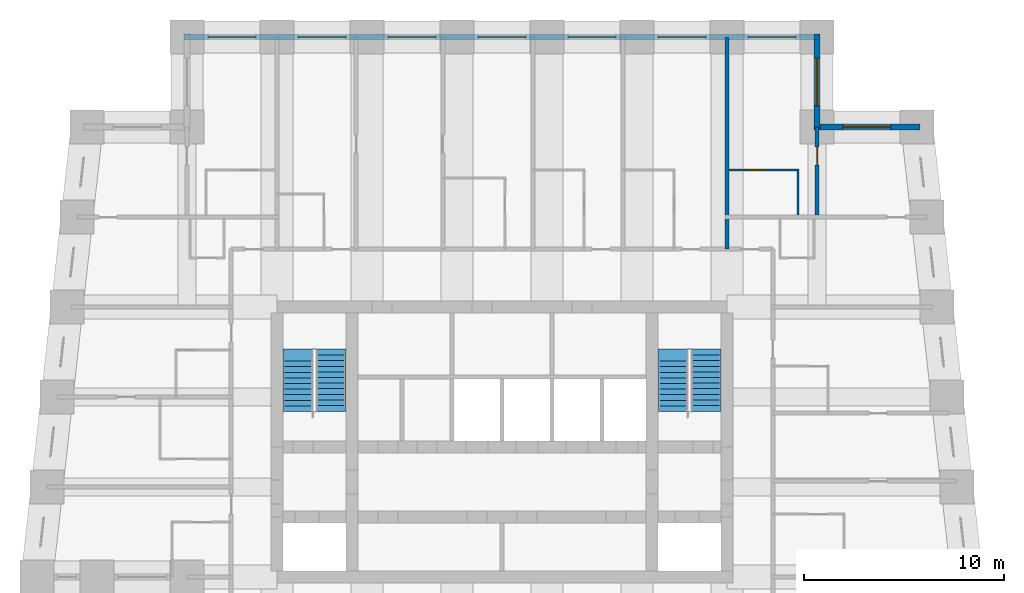
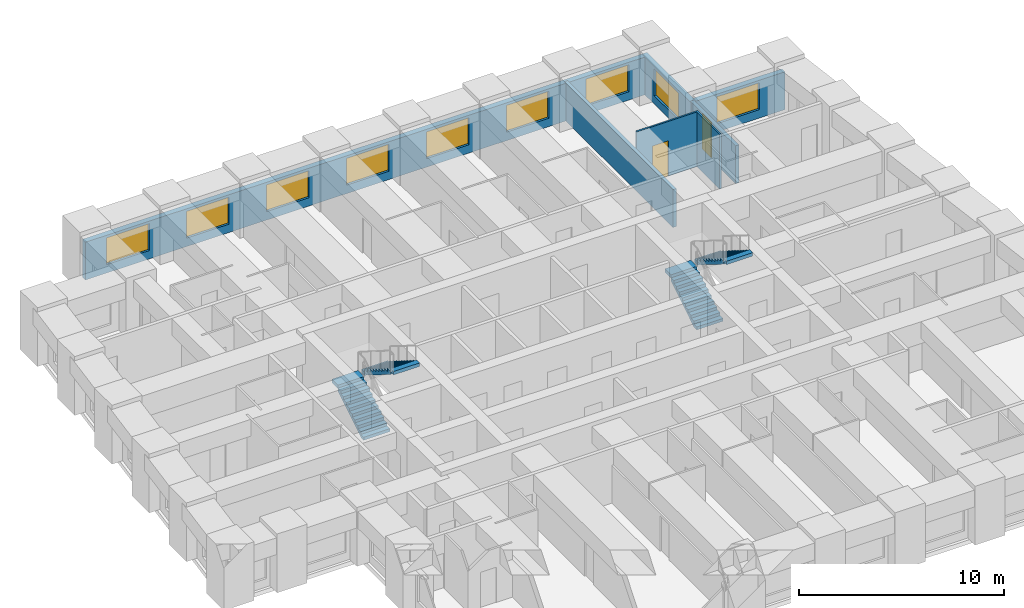
# One storey, part 7 of 8: 9 windows, 7 walls, 4 stair flights, 2 doors, 11 openings, 2 elements without a shape of their own.
"""IFC4 building model written with IfcOpenShell, lengths in metres."""

from ifc_helpers import new_model, si_unit, direction, frame, frame_2d, origin, place, context, subcontext, project, spatial, polyline, rectangle, outline, extrude, material, layer, layer_set, type_object, element, fill, aggregate, save


model = new_model("IFC4")

# Units and contexts
model_context = context("Model", 3, precision=1e-05, world=origin(), true_north=direction((0.0, 1.0)))
body_context = subcontext(model_context, "Body", "Model", "MODEL_VIEW")
ifc_project = project(units=[si_unit("LENGTHUNIT", "METRE"), si_unit("AREAUNIT", "SQUARE_METRE"), si_unit("VOLUMEUNIT", "CUBIC_METRE"), si_unit("PLANEANGLEUNIT", "RADIAN"), si_unit("MASSUNIT", "GRAM", prefix="KILO")], contexts=[model_context])

# Site, building, storey
site_placement = place(None, origin())
site = spatial("IfcSite", under=ifc_project, at=site_placement, CompositionType="ELEMENT")
building_placement = place(site_placement, origin())
building = spatial("IfcBuilding", under=site, at=building_placement, Name="Kilele Tower Hotel", CompositionType="ELEMENT")
storey_placement = place(building_placement, frame((0.0, 0.0, 176.39990234375)))
storey = spatial("IfcBuildingStorey", under=building, at=storey_placement, Name="L45", CompositionType="ELEMENT", Elevation=176.39990234375)

# Wall
ifc_material_1 = material(Name="Moisture-resistant board")
ifc_layer_1 = layer(ifc_material_1, 0.10009765625)
ifc_layer_set_1 = layer_set([ifc_layer_1], Name="Moisture-resistant board")
wall_type_1 = type_object("IfcWallType", Name="Bathroom partition 100", PredefinedType="PLUMBINGWALL", material=ifc_layer_set_1)
wall_1_placement = place(storey_placement, frame((39.550048828125, 31.60009765625, 0.0), z_axis=(0.0, 0.0, 1.0), x_axis=(0.0, 1.0, 0.0)))
element("IfcWall", 1, at=wall_1_placement, inside=storey, type_object=wall_type_1, Name="Bathroom partition 100 L45", PredefinedType="PLUMBINGWALL", context=body_context, shape_type="SweptSolid", body=[
    extrude(rectangle(XDim=2.2998046875, YDim=0.10009765625, at=frame_2d((1.14990234375, 0.0))), origin(), (0.0, 0.0, 1.0), 3.25),
])

# Wall, opening, door
wall_2_placement = place(storey_placement, frame((36.10009765625, 33.85009765625, 0.0), z_axis=(0.0, 0.0, 1.0), x_axis=(1.0, 0.0, 0.0)))
wall_2 = element("IfcWall", 2, at=wall_2_placement, inside=storey, type_object=wall_type_1, Name="Bathroom partition 100 L45", PredefinedType="PLUMBINGWALL", context=body_context, shape_type="SweptSolid", body=[
    extrude(rectangle(XDim=3.5, YDim=0.10009765625, at=frame_2d((1.75, 0.0))), origin(), (0.0, 0.0, 1.0), 3.25),
])
opening_1_placement = place(wall_2_placement, frame((0.89990234375, 0.0, 0.0)))
opening_1 = element("IfcOpeningElement", 3, at=opening_1_placement, cuts=wall_2, Name="Opening D2A", PredefinedType="OPENING", context=body_context, shape_type="SweptSolid", body=[
    extrude(rectangle(XDim=0.89990234375, YDim=2.10009765625, at=frame_2d((0.449951171875, 1.050048828125))), frame((0.0, 0.06005859375, 0.0), z_axis=(0.0, -1.0, 0.0), x_axis=(1.0, 0.0, 0.0)), (0.0, 0.0, 1.0), 0.1201171875),
])
ifc_material_2 = material(Name="Timber door leaf in hardwood frame", Category="wood")
door_type_1 = type_object("IfcDoorType", Name="Bathroom door 900", OperationType="SINGLE_SWING_LEFT", PredefinedType="DOOR", material=ifc_material_2)
door_1_placement = place(opening_1_placement, origin())
door_1 = element("IfcDoor", 4, at=door_1_placement, inside=storey, type_object=door_type_1, Name="Bathroom door 4523B", OperationType="SINGLE_SWING_LEFT", OverallHeight=2.10009765625, OverallWidth=0.89990234375, PredefinedType="DOOR", context=body_context, shape_type="SweptSolid", body=[
    extrude(rectangle(XDim=0.89990234375, YDim=2.10009765625, at=frame_2d((0.449951171875, 1.050048828125))), frame((0.0, 0.02490234375, 0.0), z_axis=(0.0, -1.0, 0.0), x_axis=(1.0, 0.0, 0.0)), (0.0, 0.0, 1.0), 0.050048828125),
])
fill(opening_1, door_1)

ifc_material_3 = material(Name="Blockwork, plastered both sides", Category="masonry")
ifc_layer_2 = layer(ifc_material_3, 0.199951171875)
ifc_layer_set_2 = layer_set([ifc_layer_2], Name="Blockwork, plastered both sides")
wall_type_2 = type_object("IfcWallType", Name="Partition wall 200", PredefinedType="PARTITIONING", material=ifc_layer_set_2)
wall_3_placement = place(storey_placement, frame((40.5, 31.60009765625, 0.0), z_axis=(0.0, 0.0, 1.0), x_axis=(0.0, 1.0, 0.0)))
wall_3 = element("IfcWall", 5, at=wall_3_placement, inside=storey, type_object=wall_type_2, Name="Partition wall 200 L45", PredefinedType="PARTITIONING", context=body_context, shape_type="SweptSolid", body=[
    extrude(rectangle(XDim=4.39990234375, YDim=0.199951171875, at=frame_2d((2.199951171875, 0.0))), origin(), (0.0, 0.0, 1.0), 2.25),
])
opening_2_placement = place(wall_3_placement, frame((2.5, 0.0, 0.0)))
opening_2 = element("IfcOpeningElement", 6, at=opening_2_placement, cuts=wall_3, Name="Opening D3", PredefinedType="OPENING", context=body_context, shape_type="SweptSolid", body=[
    extrude(rectangle(XDim=0.89990234375, YDim=2.10009765625, at=frame_2d((0.449951171875, 1.050048828125))), frame((0.0, 0.10986328125, 0.0), z_axis=(0.0, -1.0, 0.0), x_axis=(1.0, 0.0, 0.0)), (0.0, 0.0, 1.0), 0.219970703125),
])
ifc_material_4 = material(Name="Timber door leaf in hardwood frame", Category="wood")
door_type_2 = type_object("IfcDoorType", Name="Suite internal door 900", OperationType="SINGLE_SWING_LEFT", PredefinedType="DOOR", material=ifc_material_4)
door_2_placement = place(opening_2_placement, origin())
door_2 = element("IfcDoor", 7, at=door_2_placement, inside=storey, type_object=door_type_2, Name="Suite door 4524", OperationType="SINGLE_SWING_LEFT", OverallHeight=2.10009765625, OverallWidth=0.89990234375, PredefinedType="DOOR", context=body_context, shape_type="SweptSolid", body=[
    extrude(rectangle(XDim=0.89990234375, YDim=2.10009765625, at=frame_2d((0.449951171875, 1.050048828125))), frame((0.0, 0.02490234375, 0.0), z_axis=(0.0, -1.0, 0.0), x_axis=(1.0, 0.0, 0.0)), (0.0, 0.0, 1.0), 0.050048828125),
])
fill(opening_2, door_2)

# Wall
ifc_material_5 = material(Name="Blockwork, plastered both sides", Category="masonry")
ifc_layer_3 = layer(ifc_material_5, 0.199951171875)
ifc_layer_set_3 = layer_set([ifc_layer_3], Name="Blockwork, plastered both sides")
wall_type_3 = type_object("IfcWallType", Name="Party wall 200", PredefinedType="PARTITIONING", material=ifc_layer_set_3)
wall_4_placement = place(storey_placement, frame((36.0, 29.89990234375, 0.0), z_axis=(0.0, 0.0, 1.0), x_axis=(0.0, 1.0, 0.0)))
element("IfcWall", 8, at=wall_4_placement, inside=storey, type_object=wall_type_3, Name="Party wall 200 L45", PredefinedType="PARTITIONING", context=body_context, shape_type="SweptSolid", body=[
    extrude(rectangle(XDim=10.60009765625, YDim=0.199951171875, at=frame_2d((5.300048828125, 0.0))), origin(), (0.0, 0.0, 1.0), 2.25),
])

# Wall, opening, window
ifc_material_6 = material(Name="Concrete C40/50 precast", Category="concrete")
ifc_layer_4 = layer(ifc_material_6, 0.260009765625, Name="Precast backing", Category="LoadBearing")
ifc_material_7 = material(Name="Reconstituted stone finish", Category="masonry")
ifc_layer_5 = layer(ifc_material_7, 0.0400390625, Name="Face mix", Category="Finish")
ifc_layer_set_4 = layer_set([ifc_layer_4, ifc_layer_5], Name="Precast concrete C40/50, reconstituted stone finish")
wall_type_4 = type_object("IfcWallType", Name="Precast stone facade wall 300", PredefinedType="STANDARD", material=ifc_layer_set_4)
wall_5_placement = place(storey_placement, frame((45.64990234375, 36.0, 0.0), z_axis=(0.0, 0.0, 1.0), x_axis=(-1.0, 0.0, 0.0)))
wall_5 = element("IfcWall", 9, at=wall_5_placement, inside=storey, type_object=wall_type_4, Name="Facade wall L45 edge 7", PredefinedType="STANDARD", context=body_context, shape_type="SweptSolid", body=[
    extrude(rectangle(XDim=5.2998046875, YDim=0.300048828125, at=frame_2d((2.64990234375, 0.0))), origin(), (0.0, 0.0, 1.0), 2.25),
])
opening_3_placement = place(wall_5_placement, frame((1.449951171875, 0.0, 0.5)))
opening_3 = element("IfcOpeningElement", 10, at=opening_3_placement, cuts=wall_5, Name="Opening W3", PredefinedType="OPENING", context=body_context, shape_type="SweptSolid", body=[
    extrude(rectangle(XDim=2.39990234375, YDim=1.60009765625, at=frame_2d((1.199951171875, 0.800048828125))), frame((0.0, 0.159912109375, 0.0), z_axis=(0.0, -1.0, 0.0), x_axis=(1.0, 0.0, 0.0)), (0.0, 0.0, 1.0), 0.320068359375),
])
ifc_material_8 = material(Name="Aluminium frame, clear double glazing", Category="aluminium")
window_type = type_object("IfcWindowType", Name="Window W3 2400 x 1600", PartitioningType="SINGLE_PANEL", PredefinedType="WINDOW", material=ifc_material_8)
window_1_placement = place(opening_3_placement, origin())
window_1 = element("IfcWindow", 11, at=window_1_placement, inside=storey, type_object=window_type, Name="Window L45", OverallHeight=1.60009765625, OverallWidth=2.39990234375, PartitioningType="SINGLE_PANEL", PredefinedType="WINDOW", context=body_context, shape_type="SweptSolid", body=[
    extrude(rectangle(XDim=2.39990234375, YDim=1.60009765625, at=frame_2d((1.199951171875, 0.800048828125))), frame((0.0, 0.030029296875, 0.0), z_axis=(0.0, -1.0, 0.0), x_axis=(1.0, 0.0, 0.0)), (0.0, 0.0, 1.0), 0.06005859375),
])
fill(opening_3, window_1)

wall_6_placement = place(storey_placement, frame((40.5, 35.85009765625, 0.0), z_axis=(0.0, 0.0, 1.0), x_axis=(0.0, 1.0, 0.0)))
wall_6 = element("IfcWall", 12, at=wall_6_placement, inside=storey, type_object=wall_type_4, Name="Facade wall L45 edge 8", PredefinedType="STANDARD", context=body_context, shape_type="SweptSolid", body=[
    extrude(rectangle(XDim=4.7998046875, YDim=0.300048828125, at=frame_2d((2.39990234375, 0.0))), origin(), (0.0, 0.0, 1.0), 2.25),
])
opening_4_placement = place(wall_6_placement, frame((1.199951171875, 0.0, 0.5)))
opening_4 = element("IfcOpeningElement", 13, at=opening_4_placement, cuts=wall_6, Name="Opening W3", PredefinedType="OPENING", context=body_context, shape_type="SweptSolid", body=[
    extrude(rectangle(XDim=2.39990234375, YDim=1.60009765625, at=frame_2d((1.199951171875, 0.800048828125))), frame((0.0, 0.159912109375, 0.0), z_axis=(0.0, -1.0, 0.0), x_axis=(1.0, 0.0, 0.0)), (0.0, 0.0, 1.0), 0.320068359375),
])
window_2_placement = place(opening_4_placement, origin())
window_2 = element("IfcWindow", 14, at=window_2_placement, inside=storey, type_object=window_type, Name="Window L45", OverallHeight=1.60009765625, OverallWidth=2.39990234375, PartitioningType="SINGLE_PANEL", PredefinedType="WINDOW", context=body_context, shape_type="SweptSolid", body=[
    extrude(rectangle(XDim=2.39990234375, YDim=1.60009765625, at=frame_2d((1.199951171875, 0.800048828125))), frame((0.0, 0.030029296875, 0.0), z_axis=(0.0, -1.0, 0.0), x_axis=(1.0, 0.0, 0.0)), (0.0, 0.0, 1.0), 0.06005859375),
])
fill(opening_4, window_2)

# Wall, openings, windows
wall_7_placement = place(storey_placement, frame((40.64990234375, 40.5, 0.0), z_axis=(0.0, 0.0, 1.0), x_axis=(-1.0, 0.0, 0.0)))
wall_7 = element("IfcWall", 15, at=wall_7_placement, inside=storey, type_object=wall_type_4, Name="Facade wall L45 edge 9", PredefinedType="STANDARD", context=body_context, shape_type="SweptSolid", body=[
    extrude(rectangle(XDim=31.7998046875, YDim=0.300048828125, at=frame_2d((15.89990234375, 0.0))), origin(), (0.0, 0.0, 1.0), 2.25),
])
opening_5_placement = place(wall_7_placement, frame((1.199951171875, 0.0, 0.5)))
opening_5 = element("IfcOpeningElement", 16, at=opening_5_placement, cuts=wall_7, Name="Opening W3", PredefinedType="OPENING", context=body_context, shape_type="SweptSolid", body=[
    extrude(rectangle(XDim=2.39990234375, YDim=1.60009765625, at=frame_2d((1.199951171875, 0.800048828125))), frame((0.0, 0.159912109375, 0.0), z_axis=(0.0, -1.0, 0.0), x_axis=(1.0, 0.0, 0.0)), (0.0, 0.0, 1.0), 0.320068359375),
])
opening_6_placement = place(wall_7_placement, frame((5.699951171875, 0.0, 0.5)))
opening_6 = element("IfcOpeningElement", 17, at=opening_6_placement, cuts=wall_7, Name="Opening W3", PredefinedType="OPENING", context=body_context, shape_type="SweptSolid", body=[
    extrude(rectangle(XDim=2.39990234375, YDim=1.60009765625, at=frame_2d((1.199951171875, 0.800048828125))), frame((0.0, 0.159912109375, 0.0), z_axis=(0.0, -1.0, 0.0), x_axis=(1.0, 0.0, 0.0)), (0.0, 0.0, 1.0), 0.320068359375),
])
opening_7_placement = place(wall_7_placement, frame((10.199951171875, 0.0, 0.5)))
opening_7 = element("IfcOpeningElement", 18, at=opening_7_placement, cuts=wall_7, Name="Opening W3", PredefinedType="OPENING", context=body_context, shape_type="SweptSolid", body=[
    extrude(rectangle(XDim=2.39990234375, YDim=1.60009765625, at=frame_2d((1.199951171875, 0.800048828125))), frame((0.0, 0.159912109375, 0.0), z_axis=(0.0, -1.0, 0.0), x_axis=(1.0, 0.0, 0.0)), (0.0, 0.0, 1.0), 0.320068359375),
])
opening_8_placement = place(wall_7_placement, frame((14.699951171875, 0.0, 0.5)))
opening_8 = element("IfcOpeningElement", 19, at=opening_8_placement, cuts=wall_7, Name="Opening W3", PredefinedType="OPENING", context=body_context, shape_type="SweptSolid", body=[
    extrude(rectangle(XDim=2.39990234375, YDim=1.60009765625, at=frame_2d((1.199951171875, 0.800048828125))), frame((0.0, 0.159912109375, 0.0), z_axis=(0.0, -1.0, 0.0), x_axis=(1.0, 0.0, 0.0)), (0.0, 0.0, 1.0), 0.320068359375),
])
opening_9_placement = place(wall_7_placement, frame((19.199951171875, 0.0, 0.5)))
opening_9 = element("IfcOpeningElement", 20, at=opening_9_placement, cuts=wall_7, Name="Opening W3", PredefinedType="OPENING", context=body_context, shape_type="SweptSolid", body=[
    extrude(rectangle(XDim=2.39990234375, YDim=1.60009765625, at=frame_2d((1.199951171875, 0.800048828125))), frame((0.0, 0.159912109375, 0.0), z_axis=(0.0, -1.0, 0.0), x_axis=(1.0, 0.0, 0.0)), (0.0, 0.0, 1.0), 0.320068359375),
])
opening_10_placement = place(wall_7_placement, frame((23.699951171875, 0.0, 0.5)))
opening_10 = element("IfcOpeningElement", 21, at=opening_10_placement, cuts=wall_7, Name="Opening W3", PredefinedType="OPENING", context=body_context, shape_type="SweptSolid", body=[
    extrude(rectangle(XDim=2.39990234375, YDim=1.60009765625, at=frame_2d((1.199951171875, 0.800048828125))), frame((0.0, 0.159912109375, 0.0), z_axis=(0.0, -1.0, 0.0), x_axis=(1.0, 0.0, 0.0)), (0.0, 0.0, 1.0), 0.320068359375),
])
opening_11_placement = place(wall_7_placement, frame((28.199951171875, 0.0, 0.5)))
opening_11 = element("IfcOpeningElement", 22, at=opening_11_placement, cuts=wall_7, Name="Opening W3", PredefinedType="OPENING", context=body_context, shape_type="SweptSolid", body=[
    extrude(rectangle(XDim=2.39990234375, YDim=1.60009765625, at=frame_2d((1.199951171875, 0.800048828125))), frame((0.0, 0.159912109375, 0.0), z_axis=(0.0, -1.0, 0.0), x_axis=(1.0, 0.0, 0.0)), (0.0, 0.0, 1.0), 0.320068359375),
])
window_3_placement = place(opening_5_placement, origin())
window_3 = element("IfcWindow", 23, at=window_3_placement, inside=storey, type_object=window_type, Name="Window L45", OverallHeight=1.60009765625, OverallWidth=2.39990234375, PartitioningType="SINGLE_PANEL", PredefinedType="WINDOW", context=body_context, shape_type="SweptSolid", body=[
    extrude(rectangle(XDim=2.39990234375, YDim=1.60009765625, at=frame_2d((1.199951171875, 0.800048828125))), frame((0.0, 0.030029296875, 0.0), z_axis=(0.0, -1.0, 0.0), x_axis=(1.0, 0.0, 0.0)), (0.0, 0.0, 1.0), 0.06005859375),
])
fill(opening_5, window_3)
window_4_placement = place(opening_6_placement, origin())
window_4 = element("IfcWindow", 24, at=window_4_placement, inside=storey, type_object=window_type, Name="Window L45", OverallHeight=1.60009765625, OverallWidth=2.39990234375, PartitioningType="SINGLE_PANEL", PredefinedType="WINDOW", context=body_context, shape_type="SweptSolid", body=[
    extrude(rectangle(XDim=2.39990234375, YDim=1.60009765625, at=frame_2d((1.199951171875, 0.800048828125))), frame((0.0, 0.030029296875, 0.0), z_axis=(0.0, -1.0, 0.0), x_axis=(1.0, 0.0, 0.0)), (0.0, 0.0, 1.0), 0.06005859375),
])
fill(opening_6, window_4)
window_5_placement = place(opening_7_placement, origin())
window_5 = element("IfcWindow", 25, at=window_5_placement, inside=storey, type_object=window_type, Name="Window L45", OverallHeight=1.60009765625, OverallWidth=2.39990234375, PartitioningType="SINGLE_PANEL", PredefinedType="WINDOW", context=body_context, shape_type="SweptSolid", body=[
    extrude(rectangle(XDim=2.39990234375, YDim=1.60009765625, at=frame_2d((1.199951171875, 0.800048828125))), frame((0.0, 0.030029296875, 0.0), z_axis=(0.0, -1.0, 0.0), x_axis=(1.0, 0.0, 0.0)), (0.0, 0.0, 1.0), 0.06005859375),
])
fill(opening_7, window_5)
window_6_placement = place(opening_8_placement, origin())
window_6 = element("IfcWindow", 26, at=window_6_placement, inside=storey, type_object=window_type, Name="Window L45", OverallHeight=1.60009765625, OverallWidth=2.39990234375, PartitioningType="SINGLE_PANEL", PredefinedType="WINDOW", context=body_context, shape_type="SweptSolid", body=[
    extrude(rectangle(XDim=2.39990234375, YDim=1.60009765625, at=frame_2d((1.199951171875, 0.800048828125))), frame((0.0, 0.030029296875, 0.0), z_axis=(0.0, -1.0, 0.0), x_axis=(1.0, 0.0, 0.0)), (0.0, 0.0, 1.0), 0.06005859375),
])
fill(opening_8, window_6)
window_7_placement = place(opening_9_placement, origin())
window_7 = element("IfcWindow", 27, at=window_7_placement, inside=storey, type_object=window_type, Name="Window L45", OverallHeight=1.60009765625, OverallWidth=2.39990234375, PartitioningType="SINGLE_PANEL", PredefinedType="WINDOW", context=body_context, shape_type="SweptSolid", body=[
    extrude(rectangle(XDim=2.39990234375, YDim=1.60009765625, at=frame_2d((1.199951171875, 0.800048828125))), frame((0.0, 0.030029296875, 0.0), z_axis=(0.0, -1.0, 0.0), x_axis=(1.0, 0.0, 0.0)), (0.0, 0.0, 1.0), 0.06005859375),
])
fill(opening_9, window_7)
window_8_placement = place(opening_10_placement, origin())
window_8 = element("IfcWindow", 28, at=window_8_placement, inside=storey, type_object=window_type, Name="Window L45", OverallHeight=1.60009765625, OverallWidth=2.39990234375, PartitioningType="SINGLE_PANEL", PredefinedType="WINDOW", context=body_context, shape_type="SweptSolid", body=[
    extrude(rectangle(XDim=2.39990234375, YDim=1.60009765625, at=frame_2d((1.199951171875, 0.800048828125))), frame((0.0, 0.030029296875, 0.0), z_axis=(0.0, -1.0, 0.0), x_axis=(1.0, 0.0, 0.0)), (0.0, 0.0, 1.0), 0.06005859375),
])
fill(opening_10, window_8)
window_9_placement = place(opening_11_placement, origin())
window_9 = element("IfcWindow", 29, at=window_9_placement, inside=storey, type_object=window_type, Name="Window L45", OverallHeight=1.60009765625, OverallWidth=2.39990234375, PartitioningType="SINGLE_PANEL", PredefinedType="WINDOW", context=body_context, shape_type="SweptSolid", body=[
    extrude(rectangle(XDim=2.39990234375, YDim=1.60009765625, at=frame_2d((1.199951171875, 0.800048828125))), frame((0.0, 0.030029296875, 0.0), z_axis=(0.0, -1.0, 0.0), x_axis=(1.0, 0.0, 0.0)), (0.0, 0.0, 1.0), 0.06005859375),
])
fill(opening_11, window_9)

# Stair, stair flights
ifc_material_9 = material(Name="Precast concrete C40/50", Category="concrete")
stair_type = type_object("IfcStairType", Name="Stair 1475 x 3500", PredefinedType="HALF_TURN_STAIR", material=ifc_material_9)
stair_1_placement = place(storey_placement, origin())
stair_1 = element("IfcStair", 30, at=stair_1_placement, inside=storey, type_object=stair_type, Name="Stair 1 L45", PredefinedType="HALF_TURN_STAIR")
ifc_material_10 = material(Name="Precast concrete C40/50", Category="concrete")
stair_flight_type = type_object("IfcStairFlightType", Name="Flight 1475 riser 175.0", PredefinedType="STRAIGHT", material=ifc_material_10)
stair_flight_1_placement = place(storey_placement, frame((14.53759765625, 21.77490234375, 0.0), z_axis=(0.0, 0.0, 1.0), x_axis=(0.0, 1.0, 0.0)))
stair_flight_1 = element("IfcStairFlight", 31, at=stair_flight_1_placement, type_object=stair_flight_type, Name="ST1 flight 1", NumberOfRisers=10, NumberOfTreads=9, PredefinedType="STRAIGHT", RiserHeight=0.175, TreadLength=0.28, context=body_context, shape_type="SweptSolid", body=[
    extrude(outline(polyline([(0.0, 0.0), (0.0, 0.175048828125), (0.280029296875, 0.175048828125), (0.280029296875, 0.35009765625), (0.56005859375, 0.35009765625), (0.56005859375, 0.52490234375), (0.840087890625, 0.52490234375), (0.840087890625, 0.699951171875), (1.1201171875, 0.699951171875), (1.1201171875, 0.875), (1.39990234375, 0.875), (1.39990234375, 1.050048828125), (1.679931640625, 1.050048828125), (1.679931640625, 1.22509765625), (1.9599609375, 1.22509765625), (1.9599609375, 1.39990234375), (2.239990234375, 1.39990234375), (2.239990234375, 1.574951171875), (2.52001953125, 1.574951171875), (2.52001953125, 1.75), (2.52001953125, 1.398193359375), (0.28271484375, 0.0), (0.0, 0.0)])), frame((0.0, 0.737548828125, 0.0), z_axis=(0.0, -1.0, 0.0), x_axis=(1.0, 0.0, 0.0)), (0.0, 0.0, 1.0), 1.47509765625),
    extrude(outline(polyline([(2.52001953125, 0.737548828125), (2.52001953125, -0.7373046875), (3.1201171875, -0.7373046875), (3.1201171875, 0.737548828125), (2.52001953125, 0.737548828125)])), frame((0.0, 0.0, 1.550048828125)), (0.0, 0.0, 1.0), 0.199951171875),
])
stair_flight_2_placement = place(storey_placement, frame((16.21240234375, 24.594970703125, 1.75), z_axis=(0.0, 0.0, 1.0), x_axis=(0.0, -1.0, 0.0)))
stair_flight_2 = element("IfcStairFlight", 32, at=stair_flight_2_placement, type_object=stair_flight_type, Name="ST1 flight 2", NumberOfRisers=10, NumberOfTreads=9, PredefinedType="STRAIGHT", RiserHeight=0.175, TreadLength=0.28, context=body_context, shape_type="SweptSolid", body=[
    extrude(outline(polyline([(0.0, 0.0), (0.0, 0.175048828125), (0.280029296875, 0.175048828125), (0.280029296875, 0.35009765625), (0.56005859375, 0.35009765625), (0.56005859375, 0.52490234375), (0.840087890625, 0.52490234375), (0.840087890625, 0.699951171875), (1.1201171875, 0.699951171875), (1.1201171875, 0.875), (1.39990234375, 0.875), (1.39990234375, 1.050048828125), (1.679931640625, 1.050048828125), (1.679931640625, 1.22509765625), (1.9599609375, 1.22509765625), (1.9599609375, 1.39990234375), (2.239990234375, 1.39990234375), (2.239990234375, 1.574951171875), (2.52001953125, 1.574951171875), (2.52001953125, 1.75), (2.52001953125, 1.398193359375), (0.28271484375, 0.0), (0.0, 0.0)])), frame((0.0, 0.737548828125, 0.0), z_axis=(0.0, -1.0, 0.0), x_axis=(1.0, 0.0, 0.0)), (0.0, 0.0, 1.0), 1.47509765625),
    extrude(outline(polyline([(0.0, -0.7373046875), (0.0, 0.737548828125), (-0.300048828125, 0.737548828125), (-0.300048828125, -0.7373046875), (0.0, -0.7373046875)])), frame((0.0, 0.0, -0.199951171875)), (0.0, 0.0, 1.0), 0.199951171875),
    extrude(outline(polyline([(2.820068359375, -0.7373046875), (2.820068359375, 0.737548828125), (2.52001953125, 0.737548828125), (2.52001953125, -0.7373046875), (2.820068359375, -0.7373046875)])), frame((0.0, 0.0, 1.550048828125)), (0.0, 0.0, 1.0), 0.199951171875),
])
aggregate(stair_1, [stair_flight_1, stair_flight_2])

stair_2_placement = place(storey_placement, origin())
stair_2 = element("IfcStair", 33, at=stair_2_placement, inside=storey, type_object=stair_type, Name="Stair 2 L45", PredefinedType="HALF_TURN_STAIR")
stair_flight_3_placement = place(storey_placement, frame((33.28759765625, 21.77490234375, 0.0), z_axis=(0.0, 0.0, 1.0), x_axis=(0.0, 1.0, 0.0)))
stair_flight_3 = element("IfcStairFlight", 34, at=stair_flight_3_placement, type_object=stair_flight_type, Name="ST2 flight 1", NumberOfRisers=10, NumberOfTreads=9, PredefinedType="STRAIGHT", RiserHeight=0.175, TreadLength=0.28, context=body_context, shape_type="SweptSolid", body=[
    extrude(outline(polyline([(0.0, 0.0), (0.0, 0.175048828125), (0.280029296875, 0.175048828125), (0.280029296875, 0.35009765625), (0.56005859375, 0.35009765625), (0.56005859375, 0.52490234375), (0.840087890625, 0.52490234375), (0.840087890625, 0.699951171875), (1.1201171875, 0.699951171875), (1.1201171875, 0.875), (1.39990234375, 0.875), (1.39990234375, 1.050048828125), (1.679931640625, 1.050048828125), (1.679931640625, 1.22509765625), (1.9599609375, 1.22509765625), (1.9599609375, 1.39990234375), (2.239990234375, 1.39990234375), (2.239990234375, 1.574951171875), (2.52001953125, 1.574951171875), (2.52001953125, 1.75), (2.52001953125, 1.398193359375), (0.28271484375, 0.0), (0.0, 0.0)])), frame((0.0, 0.737548828125, 0.0), z_axis=(0.0, -1.0, 0.0), x_axis=(1.0, 0.0, 0.0)), (0.0, 0.0, 1.0), 1.47509765625),
    extrude(outline(polyline([(2.52001953125, 0.737548828125), (2.52001953125, -0.7373046875), (3.1201171875, -0.7373046875), (3.1201171875, 0.737548828125), (2.52001953125, 0.737548828125)])), frame((0.0, 0.0, 1.550048828125)), (0.0, 0.0, 1.0), 0.199951171875),
])
stair_flight_4_placement = place(storey_placement, frame((34.96240234375, 24.594970703125, 1.75), z_axis=(0.0, 0.0, 1.0), x_axis=(0.0, -1.0, 0.0)))
stair_flight_4 = element("IfcStairFlight", 35, at=stair_flight_4_placement, type_object=stair_flight_type, Name="ST2 flight 2", NumberOfRisers=10, NumberOfTreads=9, PredefinedType="STRAIGHT", RiserHeight=0.175, TreadLength=0.28, context=body_context, shape_type="SweptSolid", body=[
    extrude(outline(polyline([(0.0, 0.0), (0.0, 0.175048828125), (0.280029296875, 0.175048828125), (0.280029296875, 0.35009765625), (0.56005859375, 0.35009765625), (0.56005859375, 0.52490234375), (0.840087890625, 0.52490234375), (0.840087890625, 0.699951171875), (1.1201171875, 0.699951171875), (1.1201171875, 0.875), (1.39990234375, 0.875), (1.39990234375, 1.050048828125), (1.679931640625, 1.050048828125), (1.679931640625, 1.22509765625), (1.9599609375, 1.22509765625), (1.9599609375, 1.39990234375), (2.239990234375, 1.39990234375), (2.239990234375, 1.574951171875), (2.52001953125, 1.574951171875), (2.52001953125, 1.75), (2.52001953125, 1.398193359375), (0.28271484375, 0.0), (0.0, 0.0)])), frame((0.0, 0.737548828125, 0.0), z_axis=(0.0, -1.0, 0.0), x_axis=(1.0, 0.0, 0.0)), (0.0, 0.0, 1.0), 1.47509765625),
    extrude(outline(polyline([(0.0, -0.7373046875), (0.0, 0.737548828125), (-0.300048828125, 0.737548828125), (-0.300048828125, -0.7373046875), (0.0, -0.7373046875)])), frame((0.0, 0.0, -0.199951171875)), (0.0, 0.0, 1.0), 0.199951171875),
    extrude(outline(polyline([(2.820068359375, -0.7373046875), (2.820068359375, 0.737548828125), (2.52001953125, 0.737548828125), (2.52001953125, -0.7373046875), (2.820068359375, -0.7373046875)])), frame((0.0, 0.0, 1.550048828125)), (0.0, 0.0, 1.0), 0.199951171875),
])
aggregate(stair_2, [stair_flight_3, stair_flight_4])

save(model, "model.ifc")
